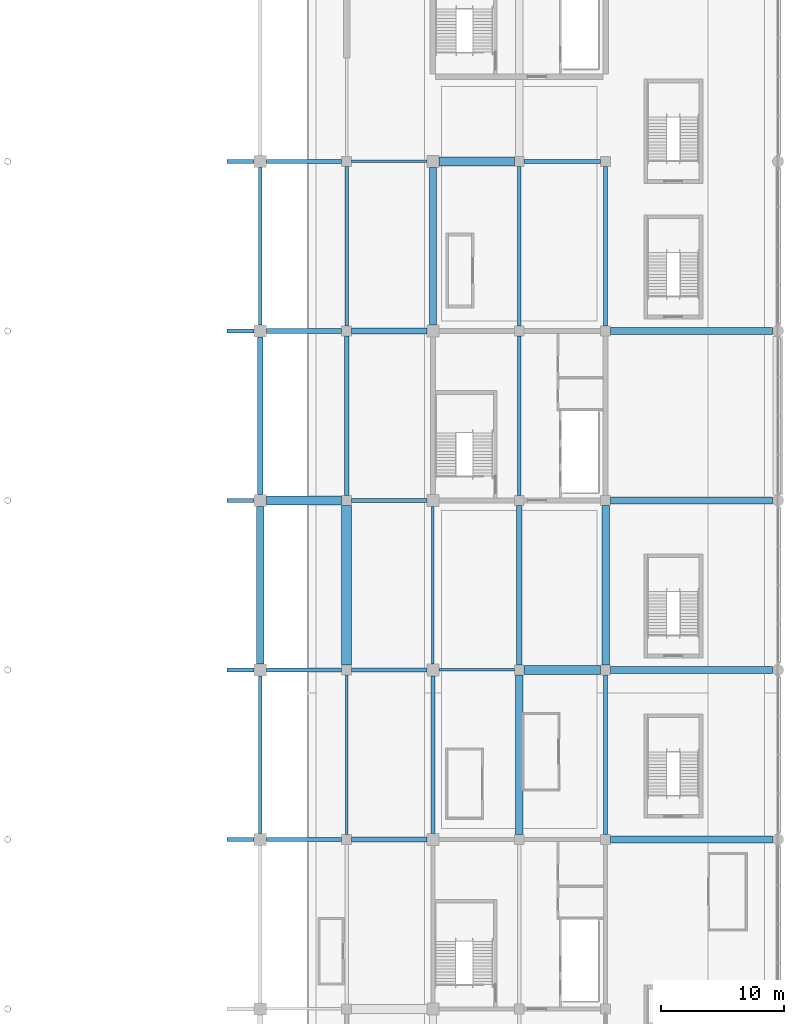
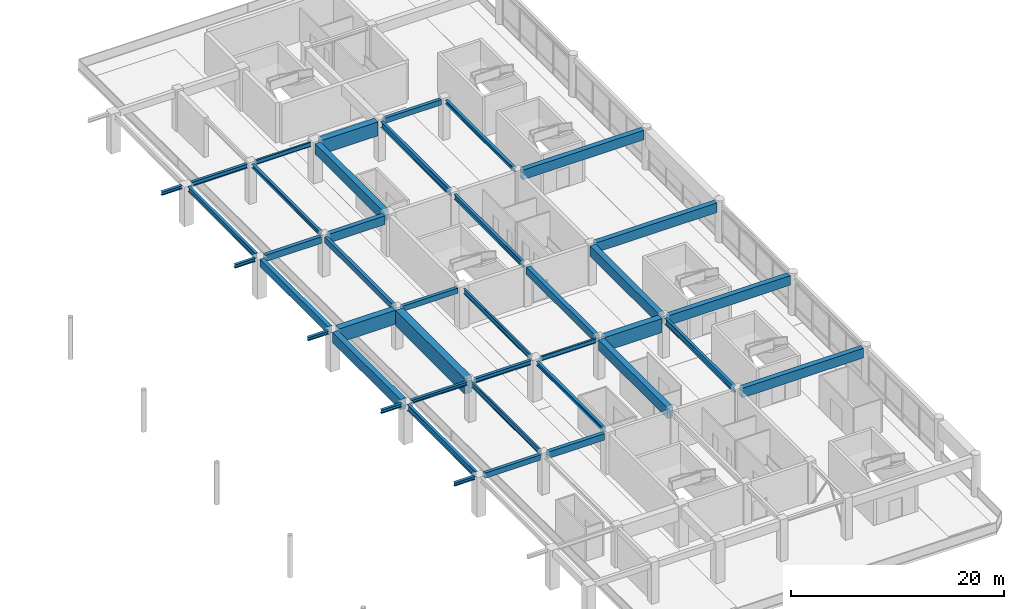
# One storey, part 36 of 91: 41 beams.
"""IFC4 building model written with IfcOpenShell, lengths in metres."""

from ifc_helpers import new_model, si_unit, direction, frame, origin, origin_2d, place, context, subcontext, project, spatial, rectangle, i_section, extrude, material, material_profile, profile_set, type_object, element, save


model = new_model("IFC4")

# Units and contexts
model_context = context("Model", 3, precision=1e-05, world=origin(), true_north=direction((0.0, 1.0)))
body_context = subcontext(model_context, "Body", "Model", "MODEL_VIEW")
ifc_project = project(units=[si_unit("LENGTHUNIT", "METRE"), si_unit("AREAUNIT", "SQUARE_METRE"), si_unit("VOLUMEUNIT", "CUBIC_METRE"), si_unit("PLANEANGLEUNIT", "RADIAN"), si_unit("MASSUNIT", "GRAM", prefix="KILO")], contexts=[model_context])

# Site, building, storey
site_placement = place(None, origin())
site = spatial("IfcSite", under=ifc_project, at=site_placement, CompositionType="ELEMENT")
building_placement = place(site_placement, origin())
building = spatial("IfcBuilding", under=site, at=building_placement, Name="Linyun Crest Stadium", CompositionType="ELEMENT")
storey_placement = place(building_placement, frame((0.0, 0.0, 11.39990234375)))
storey = spatial("IfcBuildingStorey", under=building, at=storey_placement, Name="L03", CompositionType="ELEMENT", Elevation=11.39990234375)

# Beams
ifc_material_1 = material(Name="Concrete C40", Category="concrete")
ifc_material_profile_1 = material_profile(ifc_material_1, rectangle(XDim=0.35009765625, YDim=0.60009765625, at=origin_2d()), Name="RCB 600x350")
ifc_profile_set_1 = profile_set([ifc_material_profile_1], Name="Concrete C40")
beam_type_1 = type_object("IfcBeamType", Name="B01", PredefinedType="BEAM", material=ifc_profile_set_1)
for number, where, z_axis, x_axis, name in (
    (1, (56.5, -25.375, 4.239990234375), (1.0, 0.0, 0.0), (0.0, 1.0, 0.0), "Frame beam B01 L03 613"),
    (2, (63.39990234375, 2.125, 4.280029296875), (1.0, 0.0, 0.0), (0.0, 1.0, 0.0), "Frame beam B01 L03 622"),
):
    element("IfcBeam", number, at=place(storey_placement, frame(where, z_axis=z_axis, x_axis=x_axis)), inside=storey, type_object=beam_type_1, Name=name, PredefinedType="BEAM", context=body_context, shape_type="SweptSolid", body=[
        extrude(rectangle(XDim=0.35009765625, YDim=0.60009765625, at=origin_2d()), origin(), (0.0, 0.0, 1.0), 6.10009765625),
    ])
beam_1_placement = place(storey_placement, frame((77.39990234375, 29.625, 4.280029296875), z_axis=(1.0, 0.0, 0.0), x_axis=(0.0, 1.0, 0.0)))
element("IfcBeam", 3, at=beam_1_placement, inside=storey, type_object=beam_type_1, Name="Frame beam B01 L03 630", PredefinedType="BEAM", context=body_context, shape_type="SweptSolid", body=[
    extrude(rectangle(XDim=0.35009765625, YDim=0.60009765625, at=origin_2d()), origin(), (0.0, 0.0, 1.0), 6.2001953125),
])
ifc_material_2 = material(Name="Concrete C40", Category="concrete")
ifc_material_profile_2 = material_profile(ifc_material_2, rectangle(XDim=0.35009765625, YDim=0.64990234375, at=origin_2d()), Name="RCB 650x350")
ifc_profile_set_2 = profile_set([ifc_material_profile_2], Name="Concrete C40")
beam_type_2 = type_object("IfcBeamType", Name="B02", PredefinedType="BEAM", material=ifc_profile_set_2)
beam_2_placement = place(storey_placement, frame((63.0, 2.52490234375, 4.255126953125), z_axis=(0.0, 1.0, 0.0), x_axis=(-1.0, 0.0, 0.0)))
element("IfcBeam", 4, at=beam_2_placement, inside=storey, type_object=beam_type_2, Name="Frame beam B02 L03 653", PredefinedType="BEAM", context=body_context, shape_type="SweptSolid", body=[
    extrude(rectangle(XDim=0.35009765625, YDim=0.64990234375, at=origin_2d()), origin(), (0.0, 0.0, 1.0), 12.9501953125),
])
ifc_material_3 = material(Name="Concrete C40", Category="concrete")
ifc_material_profile_3 = material_profile(ifc_material_3, rectangle(XDim=0.39990234375, YDim=0.75, at=origin_2d()), Name="RCB 750x400")
ifc_profile_set_3 = profile_set([ifc_material_profile_3], Name="Concrete C40")
beam_type_3 = type_object("IfcBeamType", Name="B03", PredefinedType="BEAM", material=ifc_profile_set_3)
for number, where, z_axis, x_axis, name in (
    (5, (63.39990234375, -25.375, 4.205078125), (1.0, 0.0, 0.0), (0.0, 1.0, 0.0), "Frame beam B03 L03 614"),
    (6, (56.5, 15.875, 4.1650390625), (1.0, 0.0, 0.0), (0.0, 1.0, 0.0), "Frame beam B03 L03 624"),
):
    element("IfcBeam", number, at=place(storey_placement, frame(where, z_axis=z_axis, x_axis=x_axis)), inside=storey, type_object=beam_type_3, Name=name, PredefinedType="BEAM", context=body_context, shape_type="SweptSolid", body=[
        extrude(rectangle(XDim=0.39990234375, YDim=0.75, at=origin_2d()), origin(), (0.0, 0.0, 1.0), 6.10009765625),
    ])
ifc_material_4 = material(Name="Concrete C40", Category="concrete")
ifc_material_profile_4 = material_profile(ifc_material_4, rectangle(XDim=0.449951171875, YDim=0.85009765625, at=origin_2d()), Name="RCB 850x450")
ifc_profile_set_4 = profile_set([ifc_material_profile_4], Name="Concrete C40")
beam_type_4 = type_object("IfcBeamType", Name="B04", PredefinedType="BEAM", material=ifc_profile_set_4)
beam_3_placement = place(storey_placement, frame((56.0, 2.625, 4.114990234375), z_axis=(0.0, 1.0, 0.0), x_axis=(-1.0, 0.0, 0.0)))
element("IfcBeam", 7, at=beam_3_placement, inside=storey, type_object=beam_type_4, Name="Frame beam B04 L03 646", PredefinedType="BEAM", context=body_context, shape_type="SweptSolid", body=[
    extrude(rectangle(XDim=0.449951171875, YDim=0.85009765625, at=origin_2d()), origin(), (0.0, 0.0, 1.0), 12.75),
])
beam_4_placement = place(storey_placement, frame((77.0, -11.22509765625, 4.155029296875), z_axis=(0.0, 1.0, 0.0), x_axis=(-1.0, 0.0, 0.0)))
element("IfcBeam", 8, at=beam_4_placement, inside=storey, type_object=beam_type_4, Name="Frame beam B04 L03 663", PredefinedType="BEAM", context=body_context, shape_type="SweptSolid", body=[
    extrude(rectangle(XDim=0.449951171875, YDim=0.85009765625, at=origin_2d()), origin(), (0.0, 0.0, 1.0), 12.9501953125),
])
ifc_material_5 = material(Name="Concrete C40", Category="concrete")
ifc_material_profile_5 = material_profile(ifc_material_5, rectangle(XDim=0.5, YDim=1.0, at=origin_2d()), Name="RCB 1000x500")
ifc_profile_set_5 = profile_set([ifc_material_profile_5], Name="Concrete C40")
beam_type_5 = type_object("IfcBeamType", Name="B05", PredefinedType="BEAM", material=ifc_profile_set_5)
beam_5_placement = place(storey_placement, frame((63.39990234375, 15.875, 4.080078125), z_axis=(1.0, 0.0, 0.0), x_axis=(0.0, 1.0, 0.0)))
element("IfcBeam", 9, at=beam_5_placement, inside=storey, type_object=beam_type_5, Name="Frame beam B05 L03 625", PredefinedType="BEAM", context=body_context, shape_type="SweptSolid", body=[
    extrude(rectangle(XDim=0.5, YDim=1.0, at=origin_2d()), origin(), (0.0, 0.0, 1.0), 6.10009765625),
])
ifc_material_6 = material(Name="Steel Q355C", Category="steel")
ifc_material_profile_6 = material_profile(ifc_material_6, i_section(OverallWidth=0.300048828125, OverallDepth=0.389892578125, WebThickness=0.010009765625, FlangeThickness=0.01611328125, at=origin_2d()), Name="HM 390x300")
ifc_profile_set_6 = profile_set([ifc_material_profile_6], Name="Steel Q355C")
beam_type_6 = type_object("IfcBeamType", Name="B06", PredefinedType="BEAM", material=ifc_profile_set_6)
beam_6_placement = place(storey_placement, frame((56.5, -11.625, 4.34521484375), z_axis=(1.0, 0.0, 0.0), x_axis=(0.0, 1.0, 0.0)))
element("IfcBeam", 10, at=beam_6_placement, inside=storey, type_object=beam_type_6, Name="Frame beam B06 L03 616", PredefinedType="BEAM", context=body_context, shape_type="SweptSolid", body=[
    extrude(i_section(OverallWidth=0.300048828125, OverallDepth=0.389892578125, WebThickness=0.010009765625, FlangeThickness=0.01611328125, at=origin_2d()), origin(), (0.0, 0.0, 1.0), 6.10009765625),
])
for number, where, z_axis, x_axis, name in (
    (11, (55.5, -25.375, 4.34521484375), (-1.0, 0.0, 0.0), (0.0, -1.0, 0.0), "Balcony bracket beam B06 L03 636"),
    (12, (55.5, -11.625, 4.34521484375), (-1.0, 0.0, 0.0), (0.0, -1.0, 0.0), "Balcony bracket beam B06 L03 637"),
    (13, (55.5, 2.125, 4.34521484375), (-1.0, 0.0, 0.0), (0.0, -1.0, 0.0), "Balcony bracket beam B06 L03 638"),
    (14, (55.5, 15.875, 4.34521484375), (-1.0, 0.0, 0.0), (0.0, -1.0, 0.0), "Balcony bracket beam B06 L03 639"),
    (15, (55.5, 29.625, 4.34521484375), (-1.0, 0.0, 0.0), (0.0, -1.0, 0.0), "Balcony bracket beam B06 L03 640"),
):
    element("IfcBeam", number, at=place(storey_placement, frame(where, z_axis=z_axis, x_axis=x_axis)), inside=storey, type_object=beam_type_6, Name=name, PredefinedType="BEAM", context=body_context, shape_type="SweptSolid", body=[
        extrude(i_section(OverallWidth=0.300048828125, OverallDepth=0.389892578125, WebThickness=0.010009765625, FlangeThickness=0.01611328125, at=origin_2d()), origin(), (0.0, 0.0, 1.0), 2.199951171875),
    ])
ifc_material_7 = material(Name="Steel Q355C", Category="steel")
ifc_material_profile_7 = material_profile(ifc_material_7, i_section(OverallWidth=0.300048828125, OverallDepth=0.43994140625, WebThickness=0.010986328125, FlangeThickness=0.01806640625, at=origin_2d()), Name="HM 440x300")
ifc_profile_set_7 = profile_set([ifc_material_profile_7], Name="Steel Q355C")
beam_type_7 = type_object("IfcBeamType", Name="B07", PredefinedType="BEAM", material=ifc_profile_set_7)
beam_7_placement = place(storey_placement, frame((63.0, 16.27490234375, 4.360107421875), z_axis=(0.0, 1.0, 0.0), x_axis=(-1.0, 0.0, 0.0)))
element("IfcBeam", 16, at=beam_7_placement, inside=storey, type_object=beam_type_7, Name="Frame beam B07 L03 654", PredefinedType="BEAM", context=body_context, shape_type="SweptSolid", body=[
    extrude(i_section(OverallWidth=0.300048828125, OverallDepth=0.43994140625, WebThickness=0.010986328125, FlangeThickness=0.01806640625, at=origin_2d()), origin(), (0.0, 0.0, 1.0), 12.9501953125),
])
beam_8_placement = place(storey_placement, frame((70.0, -24.875, 4.360107421875), z_axis=(0.0, 1.0, 0.0), x_axis=(-1.0, 0.0, 0.0)))
element("IfcBeam", 17, at=beam_8_placement, inside=storey, type_object=beam_type_7, Name="Frame beam B07 L03 657", PredefinedType="BEAM", context=body_context, shape_type="SweptSolid", body=[
    extrude(i_section(OverallWidth=0.300048828125, OverallDepth=0.43994140625, WebThickness=0.010986328125, FlangeThickness=0.01806640625, at=origin_2d()), origin(), (0.0, 0.0, 1.0), 12.75),
])
beam_9_placement = place(storey_placement, frame((84.0, 16.27490234375, 4.360107421875), z_axis=(0.0, 1.0, 0.0), x_axis=(-1.0, 0.0, 0.0)))
element("IfcBeam", 18, at=beam_9_placement, inside=storey, type_object=beam_type_7, Name="Frame beam B07 L03 670", PredefinedType="BEAM", context=body_context, shape_type="SweptSolid", body=[
    extrude(i_section(OverallWidth=0.300048828125, OverallDepth=0.43994140625, WebThickness=0.010986328125, FlangeThickness=0.01806640625, at=origin_2d()), origin(), (0.0, 0.0, 1.0), 12.9501953125),
])
ifc_material_8 = material(Name="Steel Q355C", Category="steel")
ifc_material_profile_8 = material_profile(ifc_material_8, i_section(OverallWidth=0.300048828125, OverallDepth=0.488037109375, WebThickness=0.010986328125, FlangeThickness=0.01806640625, at=origin_2d()), Name="HM 488x300")
ifc_profile_set_8 = profile_set([ifc_material_profile_8], Name="Steel Q355C")
beam_type_8 = type_object("IfcBeamType", Name="B08", PredefinedType="BEAM", material=ifc_profile_set_8)
for number, where, z_axis, x_axis, name in (
    (19, (63.39990234375, -11.625, 4.336181640625), (1.0, 0.0, 0.0), (0.0, 1.0, 0.0), "Frame beam B08 L03 617"),
    (20, (56.5, 29.625, 4.296142578125), (1.0, 0.0, 0.0), (0.0, 1.0, 0.0), "Frame beam B08 L03 627"),
):
    element("IfcBeam", number, at=place(storey_placement, frame(where, z_axis=z_axis, x_axis=x_axis)), inside=storey, type_object=beam_type_8, Name=name, PredefinedType="BEAM", context=body_context, shape_type="SweptSolid", body=[
        extrude(i_section(OverallWidth=0.300048828125, OverallDepth=0.488037109375, WebThickness=0.010986328125, FlangeThickness=0.01806640625, at=origin_2d()), origin(), (0.0, 0.0, 1.0), 6.10009765625),
    ])
ifc_material_9 = material(Name="Steel Q355C", Category="steel")
ifc_material_profile_9 = material_profile(ifc_material_9, i_section(OverallWidth=0.300048828125, OverallDepth=0.587890625, WebThickness=0.011962890625, FlangeThickness=0.02001953125, at=origin_2d()), Name="HM 588x300")
ifc_profile_set_9 = profile_set([ifc_material_profile_9], Name="Steel Q355C")
beam_type_9 = type_object("IfcBeamType", Name="B09", PredefinedType="BEAM", material=ifc_profile_set_9)
beam_10_placement = place(storey_placement, frame((56.0, 16.375, 4.24609375), z_axis=(0.0, 1.0, 0.0), x_axis=(-1.0, 0.0, 0.0)))
element("IfcBeam", 21, at=beam_10_placement, inside=storey, type_object=beam_type_9, Name="Frame beam B09 L03 647", PredefinedType="BEAM", context=body_context, shape_type="SweptSolid", body=[
    extrude(i_section(OverallWidth=0.300048828125, OverallDepth=0.587890625, WebThickness=0.011962890625, FlangeThickness=0.02001953125, at=origin_2d()), origin(), (0.0, 0.0, 1.0), 12.75),
])
beam_11_placement = place(storey_placement, frame((77.0, 2.52490234375, 4.2861328125), z_axis=(0.0, 1.0, 0.0), x_axis=(-1.0, 0.0, 0.0)))
element("IfcBeam", 22, at=beam_11_placement, inside=storey, type_object=beam_type_9, Name="Frame beam B09 L03 664", PredefinedType="BEAM", context=body_context, shape_type="SweptSolid", body=[
    extrude(i_section(OverallWidth=0.300048828125, OverallDepth=0.587890625, WebThickness=0.011962890625, FlangeThickness=0.02001953125, at=origin_2d()), origin(), (0.0, 0.0, 1.0), 12.9501953125),
])
ifc_material_10 = material(Name="Steel Q355C", Category="steel")
ifc_material_profile_10 = material_profile(ifc_material_10, i_section(OverallWidth=0.199951171875, OverallDepth=0.5, WebThickness=0.010009765625, FlangeThickness=0.01611328125, at=origin_2d()), Name="HN 500x200")
ifc_profile_set_10 = profile_set([ifc_material_profile_10], Name="Steel Q355C")
beam_type_10 = type_object("IfcBeamType", Name="B10", PredefinedType="BEAM", material=ifc_profile_set_10)
for number, where, z_axis, x_axis, name in (
    (23, (70.5, -11.625, 4.330078125), (1.0, 0.0, 0.0), (0.0, 1.0, 0.0), "Frame beam B10 L03 618"),
    (24, (63.39990234375, 29.625, 4.330078125), (1.0, 0.0, 0.0), (0.0, 1.0, 0.0), "Frame beam B10 L03 628"),
):
    element("IfcBeam", number, at=place(storey_placement, frame(where, z_axis=z_axis, x_axis=x_axis)), inside=storey, type_object=beam_type_10, Name=name, PredefinedType="BEAM", context=body_context, shape_type="SweptSolid", body=[
        extrude(i_section(OverallWidth=0.199951171875, OverallDepth=0.5, WebThickness=0.010009765625, FlangeThickness=0.01611328125, at=origin_2d()), origin(), (0.0, 0.0, 1.0), 6.10009765625),
    ])
ifc_material_11 = material(Name="Steel Q355C", Category="steel")
ifc_material_profile_11 = material_profile(ifc_material_11, i_section(OverallWidth=0.199951171875, OverallDepth=0.60009765625, WebThickness=0.010986328125, FlangeThickness=0.01708984375, at=origin_2d()), Name="HN 600x200")
ifc_profile_set_11 = profile_set([ifc_material_profile_11], Name="Steel Q355C")
beam_type_11 = type_object("IfcBeamType", Name="B11", PredefinedType="BEAM", material=ifc_profile_set_11)
beam_12_placement = place(storey_placement, frame((63.0, -24.97509765625, 4.280029296875), z_axis=(0.0, 1.0, 0.0), x_axis=(-1.0, 0.0, 0.0)))
element("IfcBeam", 25, at=beam_12_placement, inside=storey, type_object=beam_type_11, Name="Frame beam B11 L03 651", PredefinedType="BEAM", context=body_context, shape_type="SweptSolid", body=[
    extrude(i_section(OverallWidth=0.199951171875, OverallDepth=0.60009765625, WebThickness=0.010986328125, FlangeThickness=0.01708984375, at=origin_2d()), origin(), (0.0, 0.0, 1.0), 12.9501953125),
])
beam_13_placement = place(storey_placement, frame((70.0, -11.125, 4.280029296875), z_axis=(0.0, 1.0, 0.0), x_axis=(-1.0, 0.0, 0.0)))
element("IfcBeam", 26, at=beam_13_placement, inside=storey, type_object=beam_type_11, Name="Frame beam B11 L03 658", PredefinedType="BEAM", context=body_context, shape_type="SweptSolid", body=[
    extrude(i_section(OverallWidth=0.199951171875, OverallDepth=0.60009765625, WebThickness=0.010986328125, FlangeThickness=0.01708984375, at=origin_2d()), origin(), (0.0, 0.0, 1.0), 12.75),
])
ifc_material_12 = material(Name="Steel Q355C", Category="steel")
ifc_material_profile_12 = material_profile(ifc_material_12, i_section(OverallWidth=0.300048828125, OverallDepth=0.699951171875, WebThickness=0.012939453125, FlangeThickness=0.02392578125, at=origin_2d()), Name="HN 700x300")
ifc_profile_set_12 = profile_set([ifc_material_profile_12], Name="Steel Q355C")
beam_type_12 = type_object("IfcBeamType", Name="B12", PredefinedType="BEAM", material=ifc_profile_set_12)
beam_14_placement = place(storey_placement, frame((56.0, -24.875, 4.190185546875), z_axis=(0.0, 1.0, 0.0), x_axis=(-1.0, 0.0, 0.0)))
element("IfcBeam", 27, at=beam_14_placement, inside=storey, type_object=beam_type_12, Name="Frame beam B12 L03 644", PredefinedType="BEAM", context=body_context, shape_type="SweptSolid", body=[
    extrude(i_section(OverallWidth=0.300048828125, OverallDepth=0.699951171875, WebThickness=0.012939453125, FlangeThickness=0.02392578125, at=origin_2d()), origin(), (0.0, 0.0, 1.0), 12.75),
])
for number, where, z_axis, x_axis, name in (
    (28, (77.0, 16.27490234375, 4.22998046875), (0.0, 1.0, 0.0), (-1.0, 0.0, 0.0), "Frame beam B12 L03 665"),
    (29, (84.0, -24.97509765625, 4.22998046875), (0.0, 1.0, 0.0), (-1.0, 0.0, 0.0), "Frame beam B12 L03 668"),
):
    element("IfcBeam", number, at=place(storey_placement, frame(where, z_axis=z_axis, x_axis=x_axis)), inside=storey, type_object=beam_type_12, Name=name, PredefinedType="BEAM", context=body_context, shape_type="SweptSolid", body=[
        extrude(i_section(OverallWidth=0.300048828125, OverallDepth=0.699951171875, WebThickness=0.012939453125, FlangeThickness=0.02392578125, at=origin_2d()), origin(), (0.0, 0.0, 1.0), 12.9501953125),
    ])
ifc_material_13 = material(Name="Concrete C50", Category="concrete")
ifc_material_profile_13 = material_profile(ifc_material_13, rectangle(XDim=0.699951171875, YDim=1.60009765625, at=origin_2d()), Name="RCB 1600x700")
ifc_profile_set_13 = profile_set([ifc_material_profile_13], Name="Concrete C50")
beam_type_13 = type_object("IfcBeamType", Name="B13", PredefinedType="BEAM", material=ifc_profile_set_13)
beam_15_placement = place(storey_placement, frame((77.39990234375, -11.625, 3.780029296875), z_axis=(1.0, 0.0, 0.0), x_axis=(0.0, 1.0, 0.0)))
element("IfcBeam", 30, at=beam_15_placement, inside=storey, type_object=beam_type_13, Name="Frame beam B13 L03 619", PredefinedType="BEAM", context=body_context, shape_type="SweptSolid", body=[
    extrude(rectangle(XDim=0.699951171875, YDim=1.60009765625, at=origin_2d()), origin(), (0.0, 0.0, 1.0), 6.2001953125),
])
for number, where, z_axis, x_axis, name in (
    (31, (56.5, 2.125, 3.739990234375), (1.0, 0.0, 0.0), (0.0, 1.0, 0.0), "Frame beam B13 L03 621"),
    (32, (70.5, 29.625, 3.780029296875), (1.0, 0.0, 0.0), (0.0, 1.0, 0.0), "Frame beam B13 L03 629"),
):
    element("IfcBeam", number, at=place(storey_placement, frame(where, z_axis=z_axis, x_axis=x_axis)), inside=storey, type_object=beam_type_13, Name=name, PredefinedType="BEAM", context=body_context, shape_type="SweptSolid", body=[
        extrude(rectangle(XDim=0.699951171875, YDim=1.60009765625, at=origin_2d()), origin(), (0.0, 0.0, 1.0), 6.10009765625),
    ])
ifc_material_14 = material(Name="Concrete C50", Category="concrete")
ifc_material_profile_14 = material_profile(ifc_material_14, rectangle(XDim=0.800048828125, YDim=1.800048828125, at=origin_2d()), Name="RCB 1800x800")
ifc_profile_set_14 = profile_set([ifc_material_profile_14], Name="Concrete C50")
beam_type_14 = type_object("IfcBeamType", Name="B14", PredefinedType="BEAM", material=ifc_profile_set_14)
beam_16_placement = place(storey_placement, frame((63.0, -11.22509765625, 3.68017578125), z_axis=(0.0, 1.0, 0.0), x_axis=(-1.0, 0.0, 0.0)))
element("IfcBeam", 33, at=beam_16_placement, inside=storey, type_object=beam_type_14, Name="Frame beam B14 L03 652", PredefinedType="BEAM", context=body_context, shape_type="SweptSolid", body=[
    extrude(rectangle(XDim=0.800048828125, YDim=1.800048828125, at=origin_2d()), origin(), (0.0, 0.0, 1.0), 12.9501953125),
])
ifc_material_15 = material(Name="Concrete C50", Category="concrete")
ifc_material_profile_15 = material_profile(ifc_material_15, rectangle(XDim=0.550048828125, YDim=1.10009765625, at=origin_2d()), Name="RCB 1100x550")
ifc_profile_set_15 = profile_set([ifc_material_profile_15], Name="Concrete C50")
beam_type_15 = type_object("IfcBeamType", Name="TB01", PredefinedType="USERDEFINED", material=ifc_profile_set_15)
for number, where, z_axis, x_axis, name in (
    (34, (84.39990234375, -25.375, 4.030029296875), (1.0, 0.0, 0.0), (0.0, 1.0, 0.0), "Frame beam TB01 L03 615"),
    (35, (84.39990234375, -11.625, 4.030029296875), (1.0, 0.0, 0.0), (0.0, 1.0, 0.0), "Frame beam TB01 L03 620"),
    (36, (84.39990234375, 2.125, 4.030029296875), (1.0, 0.0, 0.0), (0.0, 1.0, 0.0), "Frame beam TB01 L03 623"),
    (37, (84.39990234375, 15.875, 4.030029296875), (1.0, 0.0, 0.0), (0.0, 1.0, 0.0), "Frame beam TB01 L03 626"),
):
    element("IfcBeam", number, at=place(storey_placement, frame(where, z_axis=z_axis, x_axis=x_axis)), inside=storey, type_object=beam_type_15, Name=name, ObjectType="GIRDER", PredefinedType="USERDEFINED", context=body_context, shape_type="SweptSolid", body=[
        extrude(rectangle(XDim=0.550048828125, YDim=1.10009765625, at=origin_2d()), origin(), (0.0, 0.0, 1.0), 13.150146484375),
    ])
ifc_material_16 = material(Name="Concrete C50", Category="concrete")
ifc_material_profile_16 = material_profile(ifc_material_16, rectangle(XDim=0.60009765625, YDim=1.199951171875, at=origin_2d()), Name="RCB 1200x600")
ifc_profile_set_16 = profile_set([ifc_material_profile_16], Name="Concrete C50")
beam_type_16 = type_object("IfcBeamType", Name="TB02", PredefinedType="USERDEFINED", material=ifc_profile_set_16)
for number, where, z_axis, x_axis, name in (
    (38, (56.0, -11.125, 3.940185546875), (0.0, 1.0, 0.0), (-1.0, 0.0, 0.0), "Frame beam TB02 L03 645"),
    (39, (70.0, 16.375, 3.97998046875), (0.0, 1.0, 0.0), (-1.0, 0.0, 0.0), "Frame beam TB02 L03 659"),
):
    element("IfcBeam", number, at=place(storey_placement, frame(where, z_axis=z_axis, x_axis=x_axis)), inside=storey, type_object=beam_type_16, Name=name, ObjectType="GIRDER", PredefinedType="USERDEFINED", context=body_context, shape_type="SweptSolid", body=[
        extrude(rectangle(XDim=0.60009765625, YDim=1.199951171875, at=origin_2d()), origin(), (0.0, 0.0, 1.0), 12.75),
    ])
for number, where, z_axis, x_axis, name in (
    (40, (77.0, -24.97509765625, 3.97998046875), (0.0, 1.0, 0.0), (-1.0, 0.0, 0.0), "Frame beam TB02 L03 662"),
    (41, (84.0, -11.22509765625, 3.97998046875), (0.0, 1.0, 0.0), (-1.0, 0.0, 0.0), "Frame beam TB02 L03 669"),
):
    element("IfcBeam", number, at=place(storey_placement, frame(where, z_axis=z_axis, x_axis=x_axis)), inside=storey, type_object=beam_type_16, Name=name, ObjectType="GIRDER", PredefinedType="USERDEFINED", context=body_context, shape_type="SweptSolid", body=[
        extrude(rectangle(XDim=0.60009765625, YDim=1.199951171875, at=origin_2d()), origin(), (0.0, 0.0, 1.0), 12.9501953125),
    ])

save(model, "model.ifc")
